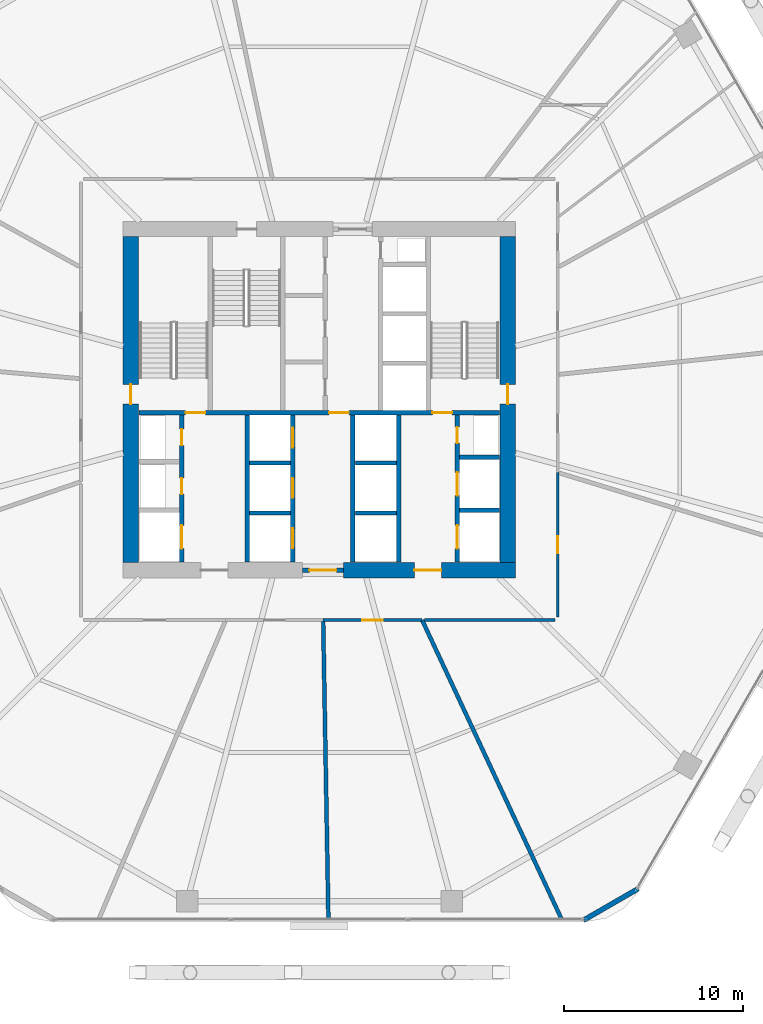
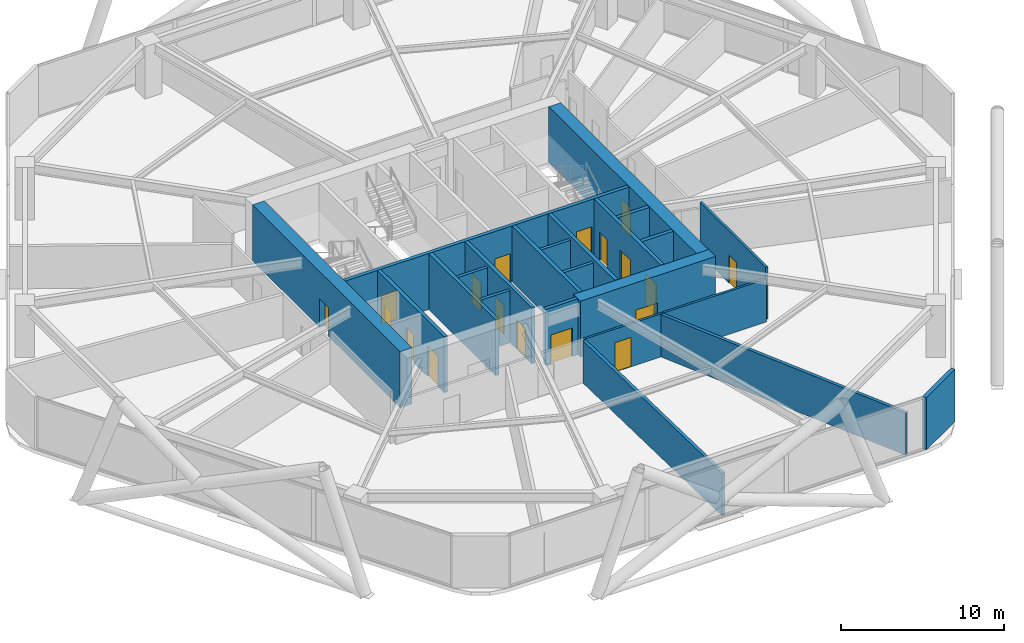
# One storey, part 25 of 30: 23 walls, 18 doors, 18 openings.
"""IFC4 building model written with IfcOpenShell, lengths in metres."""

from ifc_helpers import new_model, si_unit, direction, frame, frame_2d, origin, place, context, subcontext, project, spatial, rectangle, extrude, material, layer, layer_set, type_object, element, fill, save


model = new_model("IFC4")

# Units and contexts
model_context = context("Model", 3, precision=1e-05, world=origin(), true_north=direction((0.0, 1.0)))
body_context = subcontext(model_context, "Body", "Model", "MODEL_VIEW")
ifc_project = project(units=[si_unit("LENGTHUNIT", "METRE"), si_unit("AREAUNIT", "SQUARE_METRE"), si_unit("VOLUMEUNIT", "CUBIC_METRE"), si_unit("PLANEANGLEUNIT", "RADIAN"), si_unit("MASSUNIT", "GRAM", prefix="KILO")], contexts=[model_context])

# Site, building, storey
site_placement = place(None, origin())
site = spatial("IfcSite", under=ifc_project, at=site_placement, CompositionType="ELEMENT")
building_placement = place(site_placement, origin())
building = spatial("IfcBuilding", under=site, at=building_placement, Name="Zuhravey Tower", CompositionType="ELEMENT")
storey_placement = place(building_placement, frame((0.0, 0.0, 58.199951171875)))
storey = spatial("IfcBuildingStorey", under=building, at=storey_placement, Name="L14", CompositionType="ELEMENT", Elevation=58.199951171875)

# Wall, opening, door
ifc_material_1 = material(Name="Concrete C60/75", Category="concrete")
ifc_layer_1 = layer(ifc_material_1, 0.85009765625)
ifc_layer_set_1 = layer_set([ifc_layer_1], Name="Concrete C60/75")
wall_type_1 = type_object("IfcWallType", Name="Core Shear Wall 850", PredefinedType="SHEAR", material=ifc_layer_set_1)
wall_1_placement = place(storey_placement, frame((37.35009765625, 22.5, 0.0), z_axis=(0.0, 0.0, 1.0), x_axis=(1.0, 0.0, 0.0)))
wall_1 = element("IfcWall", 1, at=wall_1_placement, inside=storey, type_object=wall_type_1, Name="L14 South-East Core Shear Wall CW85", PredefinedType="SHEAR", context=body_context, shape_type="SweptSolid", body=[
    extrude(rectangle(XDim=9.574951171875, YDim=0.85009765625, at=frame_2d((4.78759765625, 0.0))), origin(), (0.0, 0.0, 1.0), 4.199951171875),
])
opening_1_placement = place(wall_1_placement, frame((3.949951171875, 0.0, 0.0)))
opening_1 = element("IfcOpeningElement", 2, at=opening_1_placement, cuts=wall_1, Name="Opening FFD1", PredefinedType="OPENING", context=body_context, shape_type="SweptSolid", body=[
    extrude(rectangle(XDim=1.5, YDim=2.14990234375, at=frame_2d((0.75, 1.074951171875))), frame((0.0, 0.43701171875, 0.0), z_axis=(0.0, -1.0, 0.0), x_axis=(1.0, 0.0, 0.0)), (0.0, 0.0, 1.0), 0.8740234375),
])
ifc_material_2 = material(Name="Galvanised fire-rated steel leaf", Category="steel")
door_type_1 = type_object("IfcDoorType", Name="Firefighting Lobby Double Door 1500x2150", OperationType="DOUBLE_DOOR_SINGLE_SWING", PredefinedType="DOOR", material=ifc_material_2)
door_1_placement = place(opening_1_placement, origin())
door_1 = element("IfcDoor", 3, at=door_1_placement, inside=storey, type_object=door_type_1, Name="L14 Firefighting Lobby East Door", OperationType="DOUBLE_DOOR_SINGLE_SWING", OverallHeight=2.14990234375, OverallWidth=1.5, PredefinedType="DOOR", context=body_context, shape_type="SweptSolid", body=[
    extrude(rectangle(XDim=1.5, YDim=2.14990234375, at=frame_2d((0.75, 1.074951171875))), frame((0.0, 0.02490234375, 0.0), z_axis=(0.0, -1.0, 0.0), x_axis=(1.0, 0.0, 0.0)), (0.0, 0.0, 1.0), 0.050048828125),
])
fill(opening_1, door_1)

wall_2_placement = place(storey_placement, frame((25.5, 22.925048828125, 0.0), z_axis=(0.0, 0.0, 1.0), x_axis=(0.0, 1.0, 0.0)))
wall_2 = element("IfcWall", 4, at=wall_2_placement, inside=storey, type_object=wall_type_1, Name="L14 West Core Shear Wall CW85", PredefinedType="SHEAR", context=body_context, shape_type="SweptSolid", body=[
    extrude(rectangle(XDim=18.14990234375, YDim=0.85009765625, at=frame_2d((9.074951171875, 0.0))), origin(), (0.0, 0.0, 1.0), 4.199951171875),
])
opening_2_placement = place(wall_2_placement, frame((8.824951171875, 0.0, 0.0)))
opening_2 = element("IfcOpeningElement", 5, at=opening_2_placement, cuts=wall_2, Name="Opening STD1", PredefinedType="OPENING", context=body_context, shape_type="SweptSolid", body=[
    extrude(rectangle(XDim=1.10009765625, YDim=2.14990234375, at=frame_2d((0.550048828125, 1.074951171875))), frame((0.0, 0.43701171875, 0.0), z_axis=(0.0, -1.0, 0.0), x_axis=(1.0, 0.0, 0.0)), (0.0, 0.0, 1.0), 0.8740234375),
])
door_type_2 = type_object("IfcDoorType", Name="Protected Stair Fire Door 1100x2150", OperationType="NOTDEFINED", PredefinedType="USERDEFINED", material=ifc_material_2)
door_2_placement = place(opening_2_placement, frame((1.10009765625, 0.0, 0.0), z_axis=(0.0, 0.0, 1.0), x_axis=(-1.0, 0.0, 0.0)))
door_2 = element("IfcDoor", 6, at=door_2_placement, inside=storey, type_object=door_type_2, Name="L14 Stair ST1 Door", ObjectType="EXITDOOR", OperationType="SINGLE_SWING_RIGHT", OverallHeight=2.14990234375, OverallWidth=1.10009765625, PredefinedType="USERDEFINED", context=body_context, shape_type="SweptSolid", body=[
    extrude(rectangle(XDim=1.10009765625, YDim=2.14990234375, at=frame_2d((0.550048828125, 1.074951171875))), frame((0.0, 0.02490234375, 0.0), z_axis=(0.0, -1.0, 0.0), x_axis=(1.0, 0.0, 0.0)), (0.0, 0.0, 1.0), 0.050048828125),
])
fill(opening_2, door_2)

wall_3_placement = place(storey_placement, frame((46.5, 22.925048828125, 0.0), z_axis=(0.0, 0.0, 1.0), x_axis=(0.0, 1.0, 0.0)))
wall_3 = element("IfcWall", 7, at=wall_3_placement, inside=storey, type_object=wall_type_1, Name="L14 East Core Shear Wall CW85", PredefinedType="SHEAR", context=body_context, shape_type="SweptSolid", body=[
    extrude(rectangle(XDim=18.14990234375, YDim=0.85009765625, at=frame_2d((9.074951171875, 0.0))), origin(), (0.0, 0.0, 1.0), 4.199951171875),
])
opening_3_placement = place(wall_3_placement, frame((8.824951171875, 0.0, 0.0)))
opening_3 = element("IfcOpeningElement", 8, at=opening_3_placement, cuts=wall_3, Name="Opening STD1", PredefinedType="OPENING", context=body_context, shape_type="SweptSolid", body=[
    extrude(rectangle(XDim=1.10009765625, YDim=2.14990234375, at=frame_2d((0.550048828125, 1.074951171875))), frame((0.0, 0.43701171875, 0.0), z_axis=(0.0, -1.0, 0.0), x_axis=(1.0, 0.0, 0.0)), (0.0, 0.0, 1.0), 0.8740234375),
])
door_3_placement = place(opening_3_placement, origin())
door_3 = element("IfcDoor", 9, at=door_3_placement, inside=storey, type_object=door_type_2, Name="L14 Stair ST2 Door", ObjectType="EXITDOOR", OperationType="SINGLE_SWING_LEFT", OverallHeight=2.14990234375, OverallWidth=1.10009765625, PredefinedType="USERDEFINED", context=body_context, shape_type="SweptSolid", body=[
    extrude(rectangle(XDim=1.10009765625, YDim=2.14990234375, at=frame_2d((0.550048828125, 1.074951171875))), frame((0.0, 0.02490234375, 0.0), z_axis=(0.0, -1.0, 0.0), x_axis=(1.0, 0.0, 0.0)), (0.0, 0.0, 1.0), 0.050048828125),
])
fill(opening_3, door_3)

ifc_material_3 = material(Name="Gypsum fire-rated stud partition")
ifc_layer_2 = layer(ifc_material_3, 0.159912109375)
ifc_layer_set_2 = layer_set([ifc_layer_2], Name="Gypsum fire-rated stud partition")
wall_type_2 = type_object("IfcWallType", Name="Corridor Fire Partition 160", PredefinedType="PARTITIONING", material=ifc_layer_set_2)
wall_4_placement = place(storey_placement, frame((36.21435546875, 19.715087890625, 0.0), z_axis=(0.0, 0.0, 1.0), x_axis=(1.0, 0.0, 0.0)))
wall_4 = element("IfcWall", 10, at=wall_4_placement, inside=storey, type_object=wall_type_2, Name="L14 IW16 Partition 029", PredefinedType="PARTITIONING", context=body_context, shape_type="SweptSolid", body=[
    extrude(rectangle(XDim=5.51416015625, YDim=0.159912109375, at=frame_2d((2.757080078125, 0.0))), origin(), (0.0, 0.0, 1.0), 3.219970703125),
])
opening_4_placement = place(wall_4_placement, frame((2.18212890625, 0.0, 0.0)))
opening_4 = element("IfcOpeningElement", 11, at=opening_4_placement, cuts=wall_4, Name="Opening CLD1", PredefinedType="OPENING", context=body_context, shape_type="SweptSolid", body=[
    extrude(rectangle(XDim=1.14990234375, YDim=2.199951171875, at=frame_2d((0.574951171875, 1.10009765625))), frame((0.0, 0.092041015625, 0.0), z_axis=(0.0, -1.0, 0.0), x_axis=(1.0, 0.0, 0.0)), (0.0, 0.0, 1.0), 0.183837890625),
])
ifc_material_4 = material(Name="Acoustic timber leaf with vision lite", Category="wood")
door_type_3 = type_object("IfcDoorType", Name="Classroom Acoustic Door 1150x2200", OperationType="NOTDEFINED", PredefinedType="DOOR", material=ifc_material_4)
door_4_placement = place(opening_4_placement, frame((1.14990234375, 0.0, 0.0), z_axis=(0.0, 0.0, 1.0), x_axis=(-1.0, 0.0, 0.0)))
door_4 = element("IfcDoor", 12, at=door_4_placement, inside=storey, type_object=door_type_3, Name="L14 Door 029.1", OperationType="SINGLE_SWING_LEFT", OverallHeight=2.199951171875, OverallWidth=1.14990234375, PredefinedType="DOOR", context=body_context, shape_type="SweptSolid", body=[
    extrude(rectangle(XDim=1.14990234375, YDim=2.199951171875, at=frame_2d((0.574951171875, 1.10009765625))), frame((0.0, 0.02490234375, 0.0), z_axis=(0.0, -1.0, 0.0), x_axis=(1.0, 0.0, 0.0)), (0.0, 0.0, 1.0), 0.050048828125),
])
fill(opening_4, door_4)

wall_5_placement = place(storey_placement, frame((49.284912109375, 19.875, 0.0), z_axis=(0.0, 0.0, 1.0), x_axis=(0.0, 1.0, 0.0)))
wall_5 = element("IfcWall", 13, at=wall_5_placement, inside=storey, type_object=wall_type_2, Name="L14 IW16 Partition 030", PredefinedType="PARTITIONING", context=body_context, shape_type="SweptSolid", body=[
    extrude(rectangle(XDim=8.0634765625, YDim=0.159912109375, at=frame_2d((4.03173828125, 0.0))), origin(), (0.0, 0.0, 1.0), 3.920166015625),
])
opening_5_placement = place(wall_5_placement, frame((3.556640625, 0.0, 0.0)))
opening_5 = element("IfcOpeningElement", 14, at=opening_5_placement, cuts=wall_5, Name="Opening IND1", PredefinedType="OPENING", context=body_context, shape_type="SweptSolid", body=[
    extrude(rectangle(XDim=0.949951171875, YDim=2.10009765625, at=frame_2d((0.47509765625, 1.050048828125))), frame((0.0, 0.092041015625, 0.0), z_axis=(0.0, -1.0, 0.0), x_axis=(1.0, 0.0, 0.0)), (0.0, 0.0, 1.0), 0.183837890625),
])
ifc_material_5 = material(Name="Painted engineered timber leaf", Category="wood")
door_type_4 = type_object("IfcDoorType", Name="Internal Room & Bedroom Door 950x2100", OperationType="NOTDEFINED", PredefinedType="DOOR", material=ifc_material_5)
door_5_placement = place(opening_5_placement, frame((0.949951171875, 0.0, 0.0), z_axis=(0.0, 0.0, 1.0), x_axis=(-1.0, 0.0, 0.0)))
door_5 = element("IfcDoor", 15, at=door_5_placement, inside=storey, type_object=door_type_4, Name="L14 Door 030.1", OperationType="SINGLE_SWING_RIGHT", OverallHeight=2.10009765625, OverallWidth=0.949951171875, PredefinedType="DOOR", context=body_context, shape_type="SweptSolid", body=[
    extrude(rectangle(XDim=0.949951171875, YDim=2.10009765625, at=frame_2d((0.47509765625, 1.050048828125))), frame((0.0, 0.02490234375, 0.0), z_axis=(0.0, -1.0, 0.0), x_axis=(1.0, 0.0, 0.0)), (0.0, 0.0, 1.0), 0.050048828125),
])
fill(opening_5, door_5)

# Walls
wall_6_placement = place(storey_placement, frame((41.85888671875, 19.715087890625, 0.0), z_axis=(0.0, 0.0, 1.0), x_axis=(1.0, 0.0, 0.0)))
element("IfcWall", 16, at=wall_6_placement, inside=storey, type_object=wall_type_2, Name="L14 IW16 Partition 059", PredefinedType="PARTITIONING", context=body_context, shape_type="SweptSolid", body=[
    extrude(rectangle(XDim=7.26611328125, YDim=0.159912109375, at=frame_2d((3.633056640625, 0.0))), origin(), (0.0, 0.0, 1.0), 3.219970703125),
])
ifc_material_6 = material(Name="Precast concrete C40/50", Category="concrete")
ifc_layer_3 = layer(ifc_material_6, 0.280029296875)
ifc_layer_set_3 = layer_set([ifc_layer_3], Name="Precast concrete C40/50")
wall_type_3 = type_object("IfcWallType", Name="Crown Architectural Wall 280", PredefinedType="SOLIDWALL", material=ifc_layer_set_3)
wall_7_placement = place(storey_placement, frame((53.76123046875, 4.75146484375, 0.0), z_axis=(0.0, 0.0, 1.0), x_axis=(-0.866007452331, -0.500031091541, 0.0)))
element("IfcWall", 17, at=wall_7_placement, inside=storey, type_object=wall_type_3, Name="L14 Rounded Corner Closure Wall EW28-02", PredefinedType="SOLIDWALL", context=body_context, shape_type="SweptSolid", body=[
    extrude(rectangle(XDim=3.514892578125, YDim=0.280029296875, at=frame_2d((1.75732421875, 0.0))), origin(), (0.0, 0.0, 1.0), 3.920166015625),
])

# Wall, opening, door
ifc_material_7 = material(Name="Concrete C50/60", Category="concrete")
ifc_layer_4 = layer(ifc_material_7, 0.25)
ifc_layer_set_4 = layer_set([ifc_layer_4], Name="Concrete C50/60")
wall_type_4 = type_object("IfcWallType", Name="Firefighting Shaft & Stair Wall 250", PredefinedType="SOLIDWALL", material=ifc_layer_set_4)
wall_8_placement = place(storey_placement, frame((35.06005859375, 22.5, 0.0), z_axis=(0.0, 0.0, 1.0), x_axis=(1.0, 0.0, 0.0)))
wall_8 = element("IfcWall", 18, at=wall_8_placement, inside=storey, type_object=wall_type_4, Name="L14 FW25 Shaft Wall 001", PredefinedType="SOLIDWALL", context=body_context, shape_type="SweptSolid", body=[
    extrude(rectangle(XDim=2.280029296875, YDim=0.25, at=frame_2d((1.14013671875, 0.0))), origin(), (0.0, 0.0, 1.0), 4.199951171875),
])
opening_6_placement = place(wall_8_placement, frame((0.389892578125, 0.0, 0.0)))
opening_6 = element("IfcOpeningElement", 19, at=opening_6_placement, cuts=wall_8, Name="Opening FFD1", PredefinedType="OPENING", context=body_context, shape_type="SweptSolid", body=[
    extrude(rectangle(XDim=1.5, YDim=2.14990234375, at=frame_2d((0.75, 1.074951171875))), frame((0.0, 0.136962890625, 0.0), z_axis=(0.0, -1.0, 0.0), x_axis=(1.0, 0.0, 0.0)), (0.0, 0.0, 1.0), 0.27392578125),
])
door_6_placement = place(opening_6_placement, frame((1.5, 0.0, 0.0), z_axis=(0.0, 0.0, 1.0), x_axis=(-1.0, 0.0, 0.0)))
door_6 = element("IfcDoor", 20, at=door_6_placement, inside=storey, type_object=door_type_1, Name="L14 South Lift Lobby Exit Door", OperationType="DOUBLE_DOOR_SINGLE_SWING", OverallHeight=2.14990234375, OverallWidth=1.5, PredefinedType="DOOR", context=body_context, shape_type="SweptSolid", body=[
    extrude(rectangle(XDim=1.5, YDim=2.14990234375, at=frame_2d((0.75, 1.074951171875))), frame((0.0, 0.02490234375, 0.0), z_axis=(0.0, -1.0, 0.0), x_axis=(1.0, 0.0, 0.0)), (0.0, 0.0, 1.0), 0.050048828125),
])
fill(opening_6, door_6)

# Wall, openings, doors
wall_9_placement = place(storey_placement, frame((25.949951171875, 31.27490234375, 0.0), z_axis=(0.0, 0.0, 1.0), x_axis=(1.0, 0.0, 0.0)))
wall_9 = element("IfcWall", 21, at=wall_9_placement, inside=storey, type_object=wall_type_4, Name="L14 FW25 Shaft Wall 003", PredefinedType="SOLIDWALL", context=body_context, shape_type="SweptSolid", body=[
    extrude(rectangle(XDim=20.10009765625, YDim=0.25, at=frame_2d((10.050048828125, 0.0))), origin(), (0.0, 0.0, 1.0), 4.199951171875),
])
opening_7_placement = place(wall_9_placement, frame((2.60009765625, 0.0, 0.0)))
opening_7 = element("IfcOpeningElement", 22, at=opening_7_placement, cuts=wall_9, Name="Opening STD1", PredefinedType="OPENING", context=body_context, shape_type="SweptSolid", body=[
    extrude(rectangle(XDim=1.10009765625, YDim=2.14990234375, at=frame_2d((0.550048828125, 1.074951171875))), frame((0.0, 0.136962890625, 0.0), z_axis=(0.0, -1.0, 0.0), x_axis=(1.0, 0.0, 0.0)), (0.0, 0.0, 1.0), 0.27392578125),
])
opening_8_placement = place(wall_9_placement, frame((10.60009765625, 0.0, 0.0)))
opening_8 = element("IfcOpeningElement", 23, at=opening_8_placement, cuts=wall_9, Name="Opening STD1", PredefinedType="OPENING", context=body_context, shape_type="SweptSolid", body=[
    extrude(rectangle(XDim=1.10009765625, YDim=2.14990234375, at=frame_2d((0.550048828125, 1.074951171875))), frame((0.0, 0.136962890625, 0.0), z_axis=(0.0, -1.0, 0.0), x_axis=(1.0, 0.0, 0.0)), (0.0, 0.0, 1.0), 0.27392578125),
])
opening_9_placement = place(wall_9_placement, frame((16.35009765625, 0.0, 0.0)))
opening_9 = element("IfcOpeningElement", 24, at=opening_9_placement, cuts=wall_9, Name="Opening STD1", PredefinedType="OPENING", context=body_context, shape_type="SweptSolid", body=[
    extrude(rectangle(XDim=1.10009765625, YDim=2.14990234375, at=frame_2d((0.550048828125, 1.074951171875))), frame((0.0, 0.136962890625, 0.0), z_axis=(0.0, -1.0, 0.0), x_axis=(1.0, 0.0, 0.0)), (0.0, 0.0, 1.0), 0.27392578125),
])
door_7_placement = place(opening_7_placement, origin())
door_7 = element("IfcDoor", 25, at=door_7_placement, inside=storey, type_object=door_type_2, Name="L14 FFL-W to ST1 Door", ObjectType="EXITDOOR", OperationType="SINGLE_SWING_LEFT", OverallHeight=2.14990234375, OverallWidth=1.10009765625, PredefinedType="USERDEFINED", context=body_context, shape_type="SweptSolid", body=[
    extrude(rectangle(XDim=1.10009765625, YDim=2.14990234375, at=frame_2d((0.550048828125, 1.074951171875))), frame((0.0, 0.02490234375, 0.0), z_axis=(0.0, -1.0, 0.0), x_axis=(1.0, 0.0, 0.0)), (0.0, 0.0, 1.0), 0.050048828125),
])
fill(opening_7, door_7)
door_8_placement = place(opening_8_placement, origin())
door_8 = element("IfcDoor", 26, at=door_8_placement, inside=storey, type_object=door_type_2, Name="L14 Core Lobby Link Door", ObjectType="EXITDOOR", OperationType="SINGLE_SWING_RIGHT", OverallHeight=2.14990234375, OverallWidth=1.10009765625, PredefinedType="USERDEFINED", context=body_context, shape_type="SweptSolid", body=[
    extrude(rectangle(XDim=1.10009765625, YDim=2.14990234375, at=frame_2d((0.550048828125, 1.074951171875))), frame((0.0, 0.02490234375, 0.0), z_axis=(0.0, -1.0, 0.0), x_axis=(1.0, 0.0, 0.0)), (0.0, 0.0, 1.0), 0.050048828125),
])
fill(opening_8, door_8)
door_9_placement = place(opening_9_placement, origin())
door_9 = element("IfcDoor", 27, at=door_9_placement, inside=storey, type_object=door_type_2, Name="L14 FFL-E to ST2 Door", ObjectType="EXITDOOR", OperationType="SINGLE_SWING_LEFT", OverallHeight=2.14990234375, OverallWidth=1.10009765625, PredefinedType="USERDEFINED", context=body_context, shape_type="SweptSolid", body=[
    extrude(rectangle(XDim=1.10009765625, YDim=2.14990234375, at=frame_2d((0.550048828125, 1.074951171875))), frame((0.0, 0.02490234375, 0.0), z_axis=(0.0, -1.0, 0.0), x_axis=(1.0, 0.0, 0.0)), (0.0, 0.0, 1.0), 0.050048828125),
])
fill(opening_9, door_9)

wall_10_placement = place(storey_placement, frame((28.324951171875, 22.949951171875, 0.0), z_axis=(0.0, 0.0, 1.0), x_axis=(0.0, 1.0, 0.0)))
wall_10 = element("IfcWall", 28, at=wall_10_placement, inside=storey, type_object=wall_type_4, Name="L14 FW25 Shaft Wall 011", PredefinedType="SOLIDWALL", context=body_context, shape_type="SweptSolid", body=[
    extrude(rectangle(XDim=8.199951171875, YDim=0.25, at=frame_2d((4.10009765625, 0.0))), origin(), (0.0, 0.0, 1.0), 4.199951171875),
])
opening_10_placement = place(wall_10_placement, frame((0.75, 0.0, 0.0)))
opening_10 = element("IfcOpeningElement", 29, at=opening_10_placement, cuts=wall_10, Name="Opening LD2", PredefinedType="OPENING", context=body_context, shape_type="SweptSolid", body=[
    extrude(rectangle(XDim=1.300048828125, YDim=2.300048828125, at=frame_2d((0.64990234375, 1.14990234375))), frame((0.0, 0.136962890625, 0.0), z_axis=(0.0, -1.0, 0.0), x_axis=(1.0, 0.0, 0.0)), (0.0, 0.0, 1.0), 0.27392578125),
])
opening_11_placement = place(wall_10_placement, frame((3.780029296875, 0.0, 0.0)))
opening_11 = element("IfcOpeningElement", 30, at=opening_11_placement, cuts=wall_10, Name="Opening RSD1", PredefinedType="OPENING", context=body_context, shape_type="SweptSolid", body=[
    extrude(rectangle(XDim=0.89990234375, YDim=2.10009765625, at=frame_2d((0.449951171875, 1.050048828125))), frame((0.0, 0.136962890625, 0.0), z_axis=(0.0, -1.0, 0.0), x_axis=(1.0, 0.0, 0.0)), (0.0, 0.0, 1.0), 0.27392578125),
])
opening_12_placement = place(wall_10_placement, frame((6.5, 0.0, 0.0)))
opening_12 = element("IfcOpeningElement", 31, at=opening_12_placement, cuts=wall_10, Name="Opening RSD1", PredefinedType="OPENING", context=body_context, shape_type="SweptSolid", body=[
    extrude(rectangle(XDim=0.89990234375, YDim=2.10009765625, at=frame_2d((0.449951171875, 1.050048828125))), frame((0.0, 0.136962890625, 0.0), z_axis=(0.0, -1.0, 0.0), x_axis=(1.0, 0.0, 0.0)), (0.0, 0.0, 1.0), 0.27392578125),
])
ifc_material_8 = material(Name="Brushed stainless steel", Category="steel")
door_type_5 = type_object("IfcDoorType", Name="Freight & Stretcher Lift Sliding Door 1300x2300", OperationType="DOUBLE_DOOR_SLIDING", PredefinedType="DOOR", material=ifc_material_8)
door_10_placement = place(opening_10_placement, frame((1.300048828125, 0.0, 0.0), z_axis=(0.0, 0.0, 1.0), x_axis=(-1.0, 0.0, 0.0)))
door_10 = element("IfcDoor", 32, at=door_10_placement, inside=storey, type_object=door_type_5, Name="L14 Lift FF1 Landing Door", OperationType="DOUBLE_DOOR_SLIDING", OverallHeight=2.300048828125, OverallWidth=1.300048828125, PredefinedType="DOOR", context=body_context, shape_type="SweptSolid", body=[
    extrude(rectangle(XDim=1.300048828125, YDim=2.300048828125, at=frame_2d((0.64990234375, 1.14990234375))), frame((0.0, 0.02490234375, 0.0), z_axis=(0.0, -1.0, 0.0), x_axis=(1.0, 0.0, 0.0)), (0.0, 0.0, 1.0), 0.050048828125),
])
fill(opening_10, door_10)
ifc_material_9 = material(Name="Galvanised fire-rated steel access leaf", Category="steel")
door_type_6 = type_object("IfcDoorType", Name="Riser & Shaft Access Fire Door 900x2100", OperationType="NOTDEFINED", PredefinedType="DOOR", material=ifc_material_9)
door_11_placement = place(opening_11_placement, frame((0.89990234375, 0.0, 0.0), z_axis=(0.0, 0.0, 1.0), x_axis=(-1.0, 0.0, 0.0)))
door_11 = element("IfcDoor", 33, at=door_11_placement, inside=storey, type_object=door_type_6, Name="L14 Electrical Riser Door", OperationType="SINGLE_SWING_RIGHT", OverallHeight=2.10009765625, OverallWidth=0.89990234375, PredefinedType="DOOR", context=body_context, shape_type="SweptSolid", body=[
    extrude(rectangle(XDim=0.89990234375, YDim=2.10009765625, at=frame_2d((0.449951171875, 1.050048828125))), frame((0.0, 0.02490234375, 0.0), z_axis=(0.0, -1.0, 0.0), x_axis=(1.0, 0.0, 0.0)), (0.0, 0.0, 1.0), 0.050048828125),
])
fill(opening_11, door_11)
door_12_placement = place(opening_12_placement, frame((0.89990234375, 0.0, 0.0), z_axis=(0.0, 0.0, 1.0), x_axis=(-1.0, 0.0, 0.0)))
door_12 = element("IfcDoor", 34, at=door_12_placement, inside=storey, type_object=door_type_6, Name="L14 Smoke Shaft Access Door", OperationType="SINGLE_SWING_LEFT", OverallHeight=2.10009765625, OverallWidth=0.89990234375, PredefinedType="DOOR", context=body_context, shape_type="SweptSolid", body=[
    extrude(rectangle(XDim=0.89990234375, YDim=2.10009765625, at=frame_2d((0.449951171875, 1.050048828125))), frame((0.0, 0.02490234375, 0.0), z_axis=(0.0, -1.0, 0.0), x_axis=(1.0, 0.0, 0.0)), (0.0, 0.0, 1.0), 0.050048828125),
])
fill(opening_12, door_12)

# Wall
wall_11_placement = place(storey_placement, frame((31.97509765625, 22.949951171875, 0.0), z_axis=(0.0, 0.0, 1.0), x_axis=(0.0, 1.0, 0.0)))
element("IfcWall", 35, at=wall_11_placement, inside=storey, type_object=wall_type_4, Name="L14 FW25 Shaft Wall 012", PredefinedType="SOLIDWALL", context=body_context, shape_type="SweptSolid", body=[
    extrude(rectangle(XDim=8.199951171875, YDim=0.25, at=frame_2d((4.10009765625, 0.0))), origin(), (0.0, 0.0, 1.0), 4.199951171875),
])

# Wall, openings, doors
wall_12_placement = place(storey_placement, frame((34.52490234375, 22.949951171875, 0.0), z_axis=(0.0, 0.0, 1.0), x_axis=(0.0, 1.0, 0.0)))
wall_12 = element("IfcWall", 36, at=wall_12_placement, inside=storey, type_object=wall_type_4, Name="L14 FW25 Shaft Wall 013", PredefinedType="SOLIDWALL", context=body_context, shape_type="SweptSolid", body=[
    extrude(rectangle(XDim=8.199951171875, YDim=0.25, at=frame_2d((4.10009765625, 0.0))), origin(), (0.0, 0.0, 1.0), 4.199951171875),
])
opening_13_placement = place(wall_12_placement, frame((0.77490234375, 0.0, 0.0)))
opening_13 = element("IfcOpeningElement", 37, at=opening_13_placement, cuts=wall_12, Name="Opening LD1", PredefinedType="OPENING", context=body_context, shape_type="SweptSolid", body=[
    extrude(rectangle(XDim=1.10009765625, YDim=2.199951171875, at=frame_2d((0.550048828125, 1.10009765625))), frame((0.0, 0.136962890625, 0.0), z_axis=(0.0, -1.0, 0.0), x_axis=(1.0, 0.0, 0.0)), (0.0, 0.0, 1.0), 0.27392578125),
])
opening_14_placement = place(wall_12_placement, frame((3.574951171875, 0.0, 0.0)))
opening_14 = element("IfcOpeningElement", 38, at=opening_14_placement, cuts=wall_12, Name="Opening LD1", PredefinedType="OPENING", context=body_context, shape_type="SweptSolid", body=[
    extrude(rectangle(XDim=1.10009765625, YDim=2.199951171875, at=frame_2d((0.550048828125, 1.10009765625))), frame((0.0, 0.136962890625, 0.0), z_axis=(0.0, -1.0, 0.0), x_axis=(1.0, 0.0, 0.0)), (0.0, 0.0, 1.0), 0.27392578125),
])
opening_15_placement = place(wall_12_placement, frame((6.375, 0.0, 0.0)))
opening_15 = element("IfcOpeningElement", 39, at=opening_15_placement, cuts=wall_12, Name="Opening LD1", PredefinedType="OPENING", context=body_context, shape_type="SweptSolid", body=[
    extrude(rectangle(XDim=1.10009765625, YDim=2.199951171875, at=frame_2d((0.550048828125, 1.10009765625))), frame((0.0, 0.136962890625, 0.0), z_axis=(0.0, -1.0, 0.0), x_axis=(1.0, 0.0, 0.0)), (0.0, 0.0, 1.0), 0.27392578125),
])
door_type_7 = type_object("IfcDoorType", Name="Lift Landing Sliding Door 1100x2200", OperationType="DOUBLE_DOOR_SLIDING", PredefinedType="DOOR", material=ifc_material_8)
door_13_placement = place(opening_13_placement, frame((1.10009765625, 0.0, 0.0), z_axis=(0.0, 0.0, 1.0), x_axis=(-1.0, 0.0, 0.0)))
door_13 = element("IfcDoor", 40, at=door_13_placement, inside=storey, type_object=door_type_7, Name="L14 Lift PL1 Landing Door", OperationType="DOUBLE_DOOR_SLIDING", OverallHeight=2.199951171875, OverallWidth=1.10009765625, PredefinedType="DOOR", context=body_context, shape_type="SweptSolid", body=[
    extrude(rectangle(XDim=1.10009765625, YDim=2.199951171875, at=frame_2d((0.550048828125, 1.10009765625))), frame((0.0, 0.02490234375, 0.0), z_axis=(0.0, -1.0, 0.0), x_axis=(1.0, 0.0, 0.0)), (0.0, 0.0, 1.0), 0.050048828125),
])
fill(opening_13, door_13)
door_14_placement = place(opening_14_placement, frame((1.10009765625, 0.0, 0.0), z_axis=(0.0, 0.0, 1.0), x_axis=(-1.0, 0.0, 0.0)))
door_14 = element("IfcDoor", 41, at=door_14_placement, inside=storey, type_object=door_type_7, Name="L14 Lift PL2 Landing Door", OperationType="DOUBLE_DOOR_SLIDING", OverallHeight=2.199951171875, OverallWidth=1.10009765625, PredefinedType="DOOR", context=body_context, shape_type="SweptSolid", body=[
    extrude(rectangle(XDim=1.10009765625, YDim=2.199951171875, at=frame_2d((0.550048828125, 1.10009765625))), frame((0.0, 0.02490234375, 0.0), z_axis=(0.0, -1.0, 0.0), x_axis=(1.0, 0.0, 0.0)), (0.0, 0.0, 1.0), 0.050048828125),
])
fill(opening_14, door_14)
door_15_placement = place(opening_15_placement, frame((1.10009765625, 0.0, 0.0), z_axis=(0.0, 0.0, 1.0), x_axis=(-1.0, 0.0, 0.0)))
door_15 = element("IfcDoor", 42, at=door_15_placement, inside=storey, type_object=door_type_7, Name="L14 Lift PL3 Landing Door", OperationType="DOUBLE_DOOR_SLIDING", OverallHeight=2.199951171875, OverallWidth=1.10009765625, PredefinedType="DOOR", context=body_context, shape_type="SweptSolid", body=[
    extrude(rectangle(XDim=1.10009765625, YDim=2.199951171875, at=frame_2d((0.550048828125, 1.10009765625))), frame((0.0, 0.02490234375, 0.0), z_axis=(0.0, -1.0, 0.0), x_axis=(1.0, 0.0, 0.0)), (0.0, 0.0, 1.0), 0.050048828125),
])
fill(opening_15, door_15)

# Walls
for number, where, z_axis, x_axis, name in (
    (43, (37.875, 22.949951171875, 0.0), (0.0, 0.0, 1.0), (0.0, 1.0, 0.0), "L14 FW25 Shaft Wall 014"),
    (44, (40.425048828125, 22.949951171875, 0.0), (0.0, 0.0, 1.0), (0.0, 1.0, 0.0), "L14 FW25 Shaft Wall 015"),
):
    element("IfcWall", number, at=place(storey_placement, frame(where, z_axis=z_axis, x_axis=x_axis)), inside=storey, type_object=wall_type_4, Name=name, PredefinedType="SOLIDWALL", context=body_context, shape_type="SweptSolid", body=[
        extrude(rectangle(XDim=8.199951171875, YDim=0.25, at=frame_2d((4.10009765625, 0.0))), origin(), (0.0, 0.0, 1.0), 4.199951171875),
    ])
for number, where, z_axis, x_axis, name in (
    (45, (43.800048828125, 25.824951171875, 0.0), (0.0, 0.0, 1.0), (1.0, 0.0, 0.0), "L14 FW25 Shaft Wall 016"),
    (46, (43.800048828125, 28.77490234375, 0.0), (0.0, 0.0, 1.0), (1.0, 0.0, 0.0), "L14 FW25 Shaft Wall 017"),
):
    element("IfcWall", number, at=place(storey_placement, frame(where, z_axis=z_axis, x_axis=x_axis)), inside=storey, type_object=wall_type_4, Name=name, PredefinedType="SOLIDWALL", context=body_context, shape_type="SweptSolid", body=[
        extrude(rectangle(XDim=2.25, YDim=0.25, at=frame_2d((1.125, 0.0))), origin(), (0.0, 0.0, 1.0), 4.199951171875),
    ])

# Wall, openings, doors
wall_13_placement = place(storey_placement, frame((43.675048828125, 22.949951171875, 0.0), z_axis=(0.0, 0.0, 1.0), x_axis=(0.0, 1.0, 0.0)))
wall_13 = element("IfcWall", 47, at=wall_13_placement, inside=storey, type_object=wall_type_4, Name="L14 FW25 Shaft Wall 018", PredefinedType="SOLIDWALL", context=body_context, shape_type="SweptSolid", body=[
    extrude(rectangle(XDim=8.199951171875, YDim=0.25, at=frame_2d((4.10009765625, 0.0))), origin(), (0.0, 0.0, 1.0), 4.199951171875),
])
opening_16_placement = place(wall_13_placement, frame((0.75, 0.0, 0.0)))
opening_16 = element("IfcOpeningElement", 48, at=opening_16_placement, cuts=wall_13, Name="Opening LD2", PredefinedType="OPENING", context=body_context, shape_type="SweptSolid", body=[
    extrude(rectangle(XDim=1.300048828125, YDim=2.300048828125, at=frame_2d((0.64990234375, 1.14990234375))), frame((0.0, 0.136962890625, 0.0), z_axis=(0.0, -1.0, 0.0), x_axis=(1.0, 0.0, 0.0)), (0.0, 0.0, 1.0), 0.27392578125),
])
opening_17_placement = place(wall_13_placement, frame((3.699951171875, 0.0, 0.0)))
opening_17 = element("IfcOpeningElement", 49, at=opening_17_placement, cuts=wall_13, Name="Opening LD2", PredefinedType="OPENING", context=body_context, shape_type="SweptSolid", body=[
    extrude(rectangle(XDim=1.300048828125, YDim=2.300048828125, at=frame_2d((0.64990234375, 1.14990234375))), frame((0.0, 0.136962890625, 0.0), z_axis=(0.0, -1.0, 0.0), x_axis=(1.0, 0.0, 0.0)), (0.0, 0.0, 1.0), 0.27392578125),
])
opening_18_placement = place(wall_13_placement, frame((6.6201171875, 0.0, 0.0)))
opening_18 = element("IfcOpeningElement", 50, at=opening_18_placement, cuts=wall_13, Name="Opening RSD1", PredefinedType="OPENING", context=body_context, shape_type="SweptSolid", body=[
    extrude(rectangle(XDim=0.89990234375, YDim=2.10009765625, at=frame_2d((0.449951171875, 1.050048828125))), frame((0.0, 0.136962890625, 0.0), z_axis=(0.0, -1.0, 0.0), x_axis=(1.0, 0.0, 0.0)), (0.0, 0.0, 1.0), 0.27392578125),
])
door_16_placement = place(opening_16_placement, origin())
door_16 = element("IfcDoor", 51, at=door_16_placement, inside=storey, type_object=door_type_5, Name="L14 Lift FF2 Landing Door", OperationType="DOUBLE_DOOR_SLIDING", OverallHeight=2.300048828125, OverallWidth=1.300048828125, PredefinedType="DOOR", context=body_context, shape_type="SweptSolid", body=[
    extrude(rectangle(XDim=1.300048828125, YDim=2.300048828125, at=frame_2d((0.64990234375, 1.14990234375))), frame((0.0, 0.02490234375, 0.0), z_axis=(0.0, -1.0, 0.0), x_axis=(1.0, 0.0, 0.0)), (0.0, 0.0, 1.0), 0.050048828125),
])
fill(opening_16, door_16)
door_17_placement = place(opening_17_placement, origin())
door_17 = element("IfcDoor", 52, at=door_17_placement, inside=storey, type_object=door_type_5, Name="L14 Lift SV1 Landing Door", OperationType="DOUBLE_DOOR_SLIDING", OverallHeight=2.300048828125, OverallWidth=1.300048828125, PredefinedType="DOOR", context=body_context, shape_type="SweptSolid", body=[
    extrude(rectangle(XDim=1.300048828125, YDim=2.300048828125, at=frame_2d((0.64990234375, 1.14990234375))), frame((0.0, 0.02490234375, 0.0), z_axis=(0.0, -1.0, 0.0), x_axis=(1.0, 0.0, 0.0)), (0.0, 0.0, 1.0), 0.050048828125),
])
fill(opening_17, door_17)
door_18_placement = place(opening_18_placement, origin())
door_18 = element("IfcDoor", 53, at=door_18_placement, inside=storey, type_object=door_type_6, Name="L14 Plumbing Riser Door", OperationType="SINGLE_SWING_RIGHT", OverallHeight=2.10009765625, OverallWidth=0.89990234375, PredefinedType="DOOR", context=body_context, shape_type="SweptSolid", body=[
    extrude(rectangle(XDim=0.89990234375, YDim=2.10009765625, at=frame_2d((0.449951171875, 1.050048828125))), frame((0.0, 0.02490234375, 0.0), z_axis=(0.0, -1.0, 0.0), x_axis=(1.0, 0.0, 0.0)), (0.0, 0.0, 1.0), 0.050048828125),
])
fill(opening_18, door_18)

# Walls
ifc_material_10 = material(Name="Gypsum acoustic stud assembly")
ifc_layer_5 = layer(ifc_material_10, 0.219970703125)
ifc_layer_set_5 = layer_set([ifc_layer_5], Name="Gypsum acoustic stud assembly")
wall_type_5 = type_object("IfcWallType", Name="School Acoustic Compartment Wall 220", PredefinedType="PARTITIONING", material=ifc_layer_set_5)
for number, where, z_axis, x_axis, name in (
    (54, (32.10791015625, 25.675048828125, 0.0), (0.0, 0.0, 1.0), (1.0, 0.0, 0.0), "L14 IW22 Partition 038"),
    (55, (32.10791015625, 28.47509765625, 0.0), (0.0, 0.0, 1.0), (1.0, 0.0, 0.0), "L14 IW22 Partition 039"),
):
    element("IfcWall", number, at=place(storey_placement, frame(where, z_axis=z_axis, x_axis=x_axis)), inside=storey, type_object=wall_type_5, Name=name, PredefinedType="PARTITIONING", context=body_context, shape_type="SweptSolid", body=[
        extrude(rectangle(XDim=2.2841796875, YDim=0.219970703125, at=frame_2d((1.14208984375, 0.0))), origin(), (0.0, 0.0, 1.0), 3.920166015625),
    ])
for number, where, z_axis, x_axis, name in (
    (56, (38.008056640625, 25.675048828125, 0.0), (0.0, 0.0, 1.0), (1.0, 0.0, 0.0), "L14 IW22 Partition 040"),
    (57, (38.008056640625, 28.47509765625, 0.0), (0.0, 0.0, 1.0), (1.0, 0.0, 0.0), "L14 IW22 Partition 041"),
):
    element("IfcWall", number, at=place(storey_placement, frame(where, z_axis=z_axis, x_axis=x_axis)), inside=storey, type_object=wall_type_5, Name=name, PredefinedType="PARTITIONING", context=body_context, shape_type="SweptSolid", body=[
        extrude(rectangle(XDim=2.283935546875, YDim=0.219970703125, at=frame_2d((1.14208984375, 0.0))), origin(), (0.0, 0.0, 1.0), 3.920166015625),
    ])
wall_14_placement = place(storey_placement, frame((36.216064453125, 19.626953125, 0.0), z_axis=(0.0, 0.0, 1.0), x_axis=(0.01745546123, -0.99984764183, 0.0)))
element("IfcWall", 58, at=wall_14_placement, inside=storey, type_object=wall_type_5, Name="L14 IW22 Partition 057", PredefinedType="PARTITIONING", context=body_context, shape_type="SweptSolid", body=[
    extrude(rectangle(XDim=16.587890625, YDim=0.219970703125, at=frame_2d((8.2939453125, 0.0))), origin(), (0.0, 0.0, 1.0), 3.170166015625),
])
wall_15_placement = place(storey_placement, frame((41.728515625, 19.715087890625, 0.0), z_axis=(0.0, 0.0, 1.0), x_axis=(0.422623913369, -0.906305151617, 0.0)))
element("IfcWall", 59, at=wall_15_placement, inside=storey, type_object=wall_type_5, Name="L14 IW22 Partition 058", PredefinedType="PARTITIONING", context=body_context, shape_type="SweptSolid", body=[
    extrude(rectangle(XDim=18.397216796875, YDim=0.219970703125, at=frame_2d((9.19873046875, 0.0))), origin(), (0.0, 0.0, 1.0), 3.170166015625),
])

save(model, "model.ifc")
